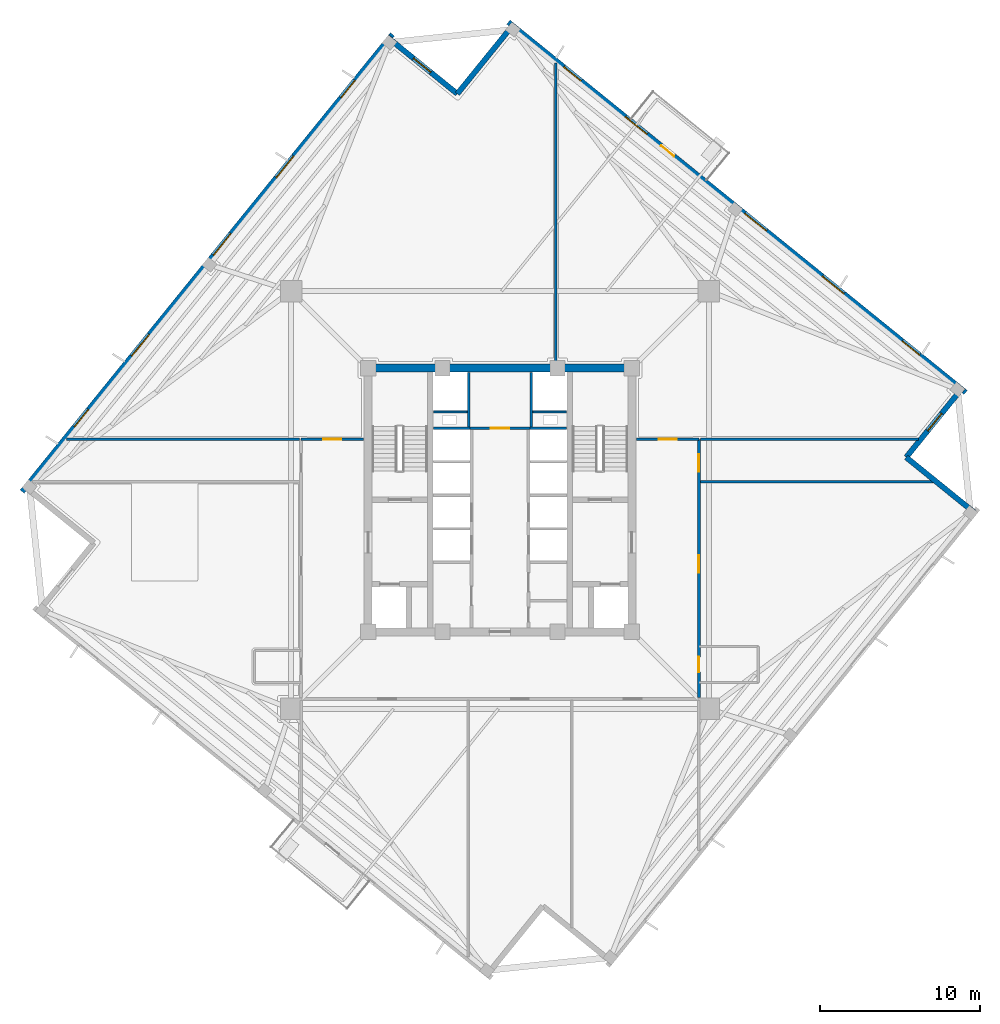
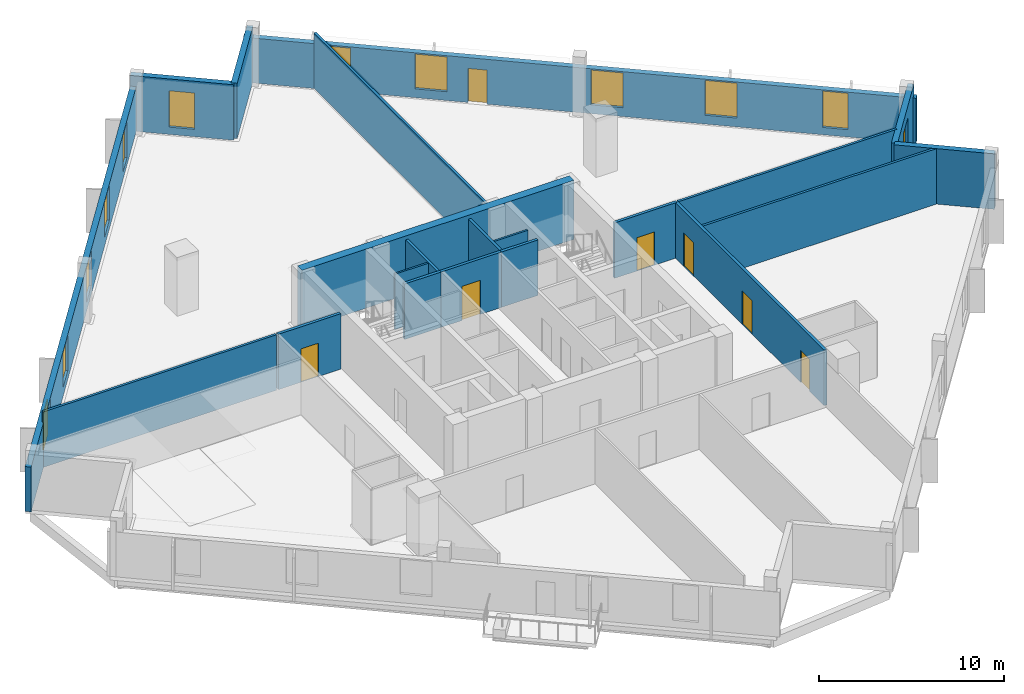
# One storey, part 5 of 10: 21 walls, 12 windows, 7 doors, 19 openings.
"""IFC4 building model written with IfcOpenShell, lengths in metres."""

from ifc_helpers import new_model, si_unit, direction, frame, frame_2d, origin, place, context, subcontext, project, spatial, rectangle, extrude, source, transform, mapped, material, layer, layer_set, type_object, element, fill, save


model = new_model("IFC4")

# Units and contexts
model_context = context("Model", 3, precision=1e-05, world=origin(), true_north=direction((0.0, 1.0)))
body_context = subcontext(model_context, "Body", "Model", "MODEL_VIEW")
ifc_project = project(units=[si_unit("LENGTHUNIT", "METRE"), si_unit("AREAUNIT", "SQUARE_METRE"), si_unit("VOLUMEUNIT", "CUBIC_METRE"), si_unit("PLANEANGLEUNIT", "RADIAN"), si_unit("MASSUNIT", "GRAM", prefix="KILO"), si_unit("THERMODYNAMICTEMPERATUREUNIT", "KELVIN")], contexts=[model_context])

# Site, building, storey
site_placement = place(None, origin())
site = spatial("IfcSite", under=ifc_project, at=site_placement, CompositionType="ELEMENT")
building_placement = place(site_placement, origin())
building = spatial("IfcBuilding", under=site, at=building_placement, Name="Kosmvard Interchange Tower", CompositionType="ELEMENT")
storey_placement = place(building_placement, frame((0.0, 0.0, 229.0)))
storey = spatial("IfcBuildingStorey", under=building, at=storey_placement, Name="L55", CompositionType="ELEMENT", Elevation=229.0)

# Walls
ifc_material_1 = material(Name="Acoustic gypsum partition system")
ifc_layer_1 = layer(ifc_material_1, 0.14990234375, Name="Acoustic gypsum partition system")
ifc_layer_set_1 = layer_set([ifc_layer_1], Name="Acoustic gypsum partition system")
wall_type_1 = type_object("IfcWallType", Name="Acoustic Suite & Meeting Partition 150", PredefinedType="PARTITIONING", material=ifc_layer_set_1)
wall_1_placement = place(storey_placement, frame((3.5, 8.5048828125, 0.0), z_axis=(0.0, 0.0, 1.0), x_axis=(0.0, 1.0, 0.0)))
element("IfcWall", 1, at=wall_1_placement, inside=storey, type_object=wall_type_1, Name="L55 Room Partition 01.1", PredefinedType="PARTITIONING", context=body_context, shape_type="SweptSolid", body=[
    extrude(rectangle(XDim=18.86767578125, YDim=0.14990234375, at=frame_2d((9.433837890625, 0.0))), origin(), (0.0, 0.0, 1.0), 3.659912109375),
])
wall_2_placement = place(storey_placement, frame((-27.12939453125, 3.800048828125, 0.0), z_axis=(0.0, 0.0, 1.0), x_axis=(1.0, 0.0, 0.0)))
element("IfcWall", 2, at=wall_2_placement, inside=storey, type_object=wall_type_1, Name="L55 Room Partition 03.1", PredefinedType="PARTITIONING", context=body_context, shape_type="SweptSolid", body=[
    extrude(rectangle(XDim=14.58447265625, YDim=0.14990234375, at=frame_2d((7.292236328125, 0.0))), origin(), (0.0, 0.0, 1.0), 3.659912109375),
])
wall_3_placement = place(storey_placement, frame((12.544921875, 1.14990234375, 0.0), z_axis=(0.0, 0.0, 1.0), x_axis=(1.0, 0.0, 0.0)))
element("IfcWall", 3, at=wall_3_placement, inside=storey, type_object=wall_type_1, Name="L55 Room Partition 04.1", PredefinedType="PARTITIONING", context=body_context, shape_type="SweptSolid", body=[
    extrude(rectangle(XDim=14.597412109375, YDim=0.14990234375, at=frame_2d((7.298828125, 0.0))), origin(), (0.0, 0.0, 1.0), 3.659912109375),
])
wall_4_placement = place(storey_placement, frame((12.544921875, 3.800048828125, 0.0), z_axis=(0.0, 0.0, 1.0), x_axis=(1.0, 0.0, 0.0)))
element("IfcWall", 4, at=wall_4_placement, inside=storey, type_object=wall_type_1, Name="L55 Room Partition 05.1", PredefinedType="PARTITIONING", context=body_context, shape_type="SweptSolid", body=[
    extrude(rectangle(XDim=13.661865234375, YDim=0.14990234375, at=frame_2d((6.8310546875, 0.0))), origin(), (0.0, 0.0, 1.0), 3.659912109375),
])
ifc_material_2 = material(Name="Fire-rated gypsum partition system")
ifc_layer_2 = layer(ifc_material_2, 0.159912109375, Name="Fire-rated gypsum partition system")
ifc_layer_set_2 = layer_set([ifc_layer_2], Name="Fire-rated gypsum partition system")
wall_type_2 = type_object("IfcWallType", Name="Core Compartment & Shuttle Lobby Partition 160", PredefinedType="PARTITIONING", material=ifc_layer_set_2)
for number, where, z_axis, x_axis, name in (
    (5, (-1.9599609375, 4.580078125, 0.0), (0.0, 0.0, 1.0), (0.0, 1.0, 0.0), "L55 North Core West Wall"),
    (6, (1.9599609375, 4.580078125, 0.0), (0.0, 0.0, 1.0), (0.0, 1.0, 0.0), "L55 North Core East Wall"),
):
    element("IfcWall", number, at=place(storey_placement, frame(where, z_axis=z_axis, x_axis=x_axis)), inside=storey, type_object=wall_type_2, Name=name, PredefinedType="PARTITIONING", context=body_context, shape_type="SweptSolid", body=[
        extrude(rectangle(XDim=3.39990234375, YDim=0.159912109375, at=frame_2d((1.699951171875, 0.0))), origin(), (0.0, 0.0, 1.0), 3.659912109375),
    ])

# Wall, opening, door
ifc_layer_3 = layer(ifc_material_2, 0.179931640625, Name="Fire-rated gypsum partition system")
ifc_layer_set_3 = layer_set([ifc_layer_3], Name="Fire-rated gypsum partition system")
wall_type_3 = type_object("IfcWallType", Name="Corridor & Hotel Compartment Partition 180", PredefinedType="PARTITIONING", material=ifc_layer_set_3)
wall_5_placement = place(storey_placement, frame((-1.8798828125, 4.489990234375, 0.0), z_axis=(0.0, 0.0, 1.0), x_axis=(1.0, 0.0, 0.0)))
wall_5 = element("IfcWall", 7, at=wall_5_placement, inside=storey, type_object=wall_type_3, Name="L55 Lift Lobby North Partition", PredefinedType="PARTITIONING", context=body_context, shape_type="SweptSolid", body=[
    extrude(rectangle(XDim=3.759765625, YDim=0.179931640625, at=frame_2d((1.8798828125, 0.0))), origin(), (0.0, 0.0, 1.0), 3.659912109375),
])
opening_1_placement = place(wall_5_placement, frame((1.304931640625, 0.0, 0.0)))
opening_1 = element("IfcOpeningElement", 8, at=opening_1_placement, cuts=wall_5, Name="Opening L55-KD1", PredefinedType="OPENING", context=body_context, shape_type="SweptSolid", body=[
    extrude(rectangle(XDim=1.14990234375, YDim=2.25, at=frame_2d((0.574951171875, 1.125))), frame((0.0, 0.10009765625, 0.0), z_axis=(0.0, -1.0, 0.0), x_axis=(1.0, 0.0, 0.0)), (0.0, 0.0, 1.0), 0.199951171875),
])
ifc_material_3 = material(Name="Painted fire-rated steel leaf", Category="steel")
door_type_1 = type_object("IfcDoorType", Name="Plant & Riser Fire Door 1150x2250 EI60", OperationType="NOTDEFINED", PredefinedType="DOOR", material=ifc_material_3)
shared_shape_1 = source(origin(), body_context, "Body", "SweptSolid", [
    extrude(rectangle(XDim=1.14990234375, YDim=2.25, at=frame_2d((0.574951171875, 1.125))), frame((0.0, 0.02490234375, 0.0), z_axis=(0.0, -1.0, 0.0), x_axis=(1.0, 0.0, 0.0)), (0.0, 0.0, 1.0), 0.050048828125),
])
door_1_placement = place(opening_1_placement, origin())
door_1 = element("IfcDoor", 9, at=door_1_placement, inside=storey, type_object=door_type_1, Name="L55 Core IT Room Door", OperationType="SINGLE_SWING_LEFT", OverallHeight=2.25, OverallWidth=1.14990234375, PredefinedType="DOOR", context=body_context, shape_type="MappedRepresentation", body=[
    mapped(shared_shape_1, transform((0.0, 0.0, 0.0), scale=1.0)),
])
fill(opening_1, door_1)

# Wall, openings, doors
wall_6_placement = place(storey_placement, frame((12.449951171875, -12.35009765625, 0.0), z_axis=(0.0, 0.0, 1.0), x_axis=(0.0, 1.0, 0.0)))
wall_6 = element("IfcWall", 10, at=wall_6_placement, inside=storey, type_object=wall_type_3, Name="L55 Corridor Wall CE", PredefinedType="PARTITIONING", context=body_context, shape_type="SweptSolid", body=[
    extrude(rectangle(XDim=16.150146484375, YDim=0.179931640625, at=frame_2d((8.0751953125, 0.0))), origin(), (0.0, 0.0, 1.0), 3.659912109375),
])
opening_2_placement = place(wall_6_placement, frame((1.580078125, 0.0, 0.0)))
opening_2 = element("IfcOpeningElement", 11, at=opening_2_placement, cuts=wall_6, Name="Opening L55-D02", PredefinedType="OPENING", context=body_context, shape_type="SweptSolid", body=[
    extrude(rectangle(XDim=0.949951171875, YDim=2.10009765625, at=frame_2d((0.47509765625, 1.050048828125))), frame((0.0, 0.10009765625, 0.0), z_axis=(0.0, -1.0, 0.0), x_axis=(1.0, 0.0, 0.0)), (0.0, 0.0, 1.0), 0.199951171875),
])
opening_3_placement = place(wall_6_placement, frame((14.110595703125, 0.0, 0.0)))
opening_3 = element("IfcOpeningElement", 12, at=opening_3_placement, cuts=wall_6, Name="Opening L55-D06", PredefinedType="OPENING", context=body_context, shape_type="SweptSolid", body=[
    extrude(rectangle(XDim=1.10009765625, YDim=2.199951171875, at=frame_2d((0.550048828125, 1.10009765625))), frame((0.0, 0.10009765625, 0.0), z_axis=(0.0, -1.0, 0.0), x_axis=(1.0, 0.0, 0.0)), (0.0, 0.0, 1.0), 0.199951171875),
])
opening_4_placement = place(wall_6_placement, frame((7.783935546875, 0.0, 0.0)))
opening_4 = element("IfcOpeningElement", 13, at=opening_4_placement, cuts=wall_6, Name="Opening L55-D11", PredefinedType="OPENING", context=body_context, shape_type="SweptSolid", body=[
    extrude(rectangle(XDim=1.10009765625, YDim=2.199951171875, at=frame_2d((0.550048828125, 1.10009765625))), frame((0.0, 0.10009765625, 0.0), z_axis=(0.0, -1.0, 0.0), x_axis=(1.0, 0.0, 0.0)), (0.0, 0.0, 1.0), 0.199951171875),
])
ifc_material_4 = material(Name="Laminated moisture-resistant timber", Category="wood")
door_type_2 = type_object("IfcDoorType", Name="Accessible Washroom Door 950x2100", OperationType="NOTDEFINED", PredefinedType="DOOR", material=ifc_material_4)
shared_shape_2 = source(origin(), body_context, "Body", "SweptSolid", [
    extrude(rectangle(XDim=0.949951171875, YDim=2.10009765625, at=frame_2d((0.47509765625, 1.050048828125))), frame((0.0, 0.02490234375, 0.0), z_axis=(0.0, -1.0, 0.0), x_axis=(1.0, 0.0, 0.0)), (0.0, 0.0, 1.0), 0.050048828125),
])
door_2_placement = place(opening_2_placement, frame((0.949951171875, 0.0, 0.0), z_axis=(0.0, 0.0, 1.0), x_axis=(-1.0, 0.0, 0.0)))
door_2 = element("IfcDoor", 14, at=door_2_placement, inside=storey, type_object=door_type_2, Name="L55 Public Floor Washroom Door", OperationType="SINGLE_SWING_RIGHT", OverallHeight=2.10009765625, OverallWidth=0.949951171875, PredefinedType="DOOR", context=body_context, shape_type="MappedRepresentation", body=[
    mapped(shared_shape_2, transform((0.0, 0.0, 0.0), scale=1.0)),
])
fill(opening_2, door_2)
ifc_material_5 = material(Name="Engineered oak fire-rated timber", Category="wood")
door_type_3 = type_object("IfcDoorType", Name="Office Suite Entrance Door 1100x2200 FD30S", OperationType="NOTDEFINED", PredefinedType="DOOR", material=ifc_material_5)
shared_shape_3 = source(origin(), body_context, "Body", "SweptSolid", [
    extrude(rectangle(XDim=1.10009765625, YDim=2.199951171875, at=frame_2d((0.550048828125, 1.10009765625))), frame((0.0, 0.02490234375, 0.0), z_axis=(0.0, -1.0, 0.0), x_axis=(1.0, 0.0, 0.0)), (0.0, 0.0, 1.0), 0.050048828125),
])
door_3_placement = place(opening_3_placement, frame((1.10009765625, 0.0, 0.0), z_axis=(0.0, 0.0, 1.0), x_axis=(-1.0, 0.0, 0.0)))
door_3 = element("IfcDoor", 15, at=door_3_placement, inside=storey, type_object=door_type_3, Name="L55 East Hearing Chamber 2 Door", OperationType="SINGLE_SWING_RIGHT", OverallHeight=2.199951171875, OverallWidth=1.10009765625, PredefinedType="DOOR", context=body_context, shape_type="MappedRepresentation", body=[
    mapped(shared_shape_3, transform((0.0, 0.0, 0.0), scale=1.0)),
])
fill(opening_3, door_3)
door_4_placement = place(opening_4_placement, frame((1.10009765625, 0.0, 0.0), z_axis=(0.0, 0.0, 1.0), x_axis=(-1.0, 0.0, 0.0)))
door_4 = element("IfcDoor", 16, at=door_4_placement, inside=storey, type_object=door_type_3, Name="L55 South-East Open Chambers Door", OperationType="SINGLE_SWING_LEFT", OverallHeight=2.199951171875, OverallWidth=1.10009765625, PredefinedType="DOOR", context=body_context, shape_type="MappedRepresentation", body=[
    mapped(shared_shape_3, transform((0.0, 0.0, 0.0), scale=1.0)),
])
fill(opening_4, door_4)

# Wall, opening, door
wall_7_placement = place(storey_placement, frame((-12.449951171875, 3.800048828125, 0.0), z_axis=(0.0, 0.0, 1.0), x_axis=(1.0, 0.0, 0.0)))
wall_7 = element("IfcWall", 17, at=wall_7_placement, inside=storey, type_object=wall_type_3, Name="L55 Corridor Wall CNW", PredefinedType="PARTITIONING", context=body_context, shape_type="SweptSolid", body=[
    extrude(rectangle(XDim=3.89990234375, YDim=0.179931640625, at=frame_2d((1.949951171875, 0.0))), origin(), (0.0, 0.0, 1.0), 3.659912109375),
])
opening_5_placement = place(wall_7_placement, frame((1.39990234375, 0.0, 0.0)))
opening_5 = element("IfcOpeningElement", 18, at=opening_5_placement, cuts=wall_7, Name="Opening L55-D04", PredefinedType="OPENING", context=body_context, shape_type="SweptSolid", body=[
    extrude(rectangle(XDim=1.10009765625, YDim=2.199951171875, at=frame_2d((0.550048828125, 1.10009765625))), frame((0.0, 0.10009765625, 0.0), z_axis=(0.0, -1.0, 0.0), x_axis=(1.0, 0.0, 0.0)), (0.0, 0.0, 1.0), 0.199951171875),
])
door_5_placement = place(opening_5_placement, origin())
door_5 = element("IfcDoor", 19, at=door_5_placement, inside=storey, type_object=door_type_3, Name="L55 North-West Sovereign Fund Workplace Door", OperationType="SINGLE_SWING_RIGHT", OverallHeight=2.199951171875, OverallWidth=1.10009765625, PredefinedType="DOOR", context=body_context, shape_type="MappedRepresentation", body=[
    mapped(shared_shape_3, transform((0.0, 0.0, 0.0), scale=1.0)),
])
fill(opening_5, door_5)

wall_8_placement = place(storey_placement, frame((8.550048828125, 3.800048828125, 0.0), z_axis=(0.0, 0.0, 1.0), x_axis=(1.0, 0.0, 0.0)))
wall_8 = element("IfcWall", 20, at=wall_8_placement, inside=storey, type_object=wall_type_3, Name="L55 Corridor Wall CNE", PredefinedType="PARTITIONING", context=body_context, shape_type="SweptSolid", body=[
    extrude(rectangle(XDim=3.89990234375, YDim=0.179931640625, at=frame_2d((1.949951171875, 0.0))), origin(), (0.0, 0.0, 1.0), 3.659912109375),
])
opening_6_placement = place(wall_8_placement, frame((1.39990234375, 0.0, 0.0)))
opening_6 = element("IfcOpeningElement", 21, at=opening_6_placement, cuts=wall_8, Name="Opening L55-D05", PredefinedType="OPENING", context=body_context, shape_type="SweptSolid", body=[
    extrude(rectangle(XDim=1.10009765625, YDim=2.199951171875, at=frame_2d((0.550048828125, 1.10009765625))), frame((0.0, 0.10009765625, 0.0), z_axis=(0.0, -1.0, 0.0), x_axis=(1.0, 0.0, 0.0)), (0.0, 0.0, 1.0), 0.199951171875),
])
door_6_placement = place(opening_6_placement, origin())
door_6 = element("IfcDoor", 22, at=door_6_placement, inside=storey, type_object=door_type_3, Name="L55 International Arbitration Hall Door", OperationType="SINGLE_SWING_LEFT", OverallHeight=2.199951171875, OverallWidth=1.10009765625, PredefinedType="DOOR", context=body_context, shape_type="MappedRepresentation", body=[
    mapped(shared_shape_3, transform((0.0, 0.0, 0.0), scale=1.0)),
])
fill(opening_6, door_6)

# Wall
ifc_material_6 = material(Name="Precast concrete C45/55", Category="concrete")
ifc_layer_4 = layer(ifc_material_6, 0.340087890625, Name="Precast concrete C45/55")
ifc_layer_set_4 = layer_set([ifc_layer_4], Name="Precast concrete C45/55")
wall_type_4 = type_object("IfcWallType", Name="Mid Tower Precast Pier Wall 340 C45/55", PredefinedType="STANDARD", material=ifc_layer_set_4)
wall_9_placement = place(storey_placement, frame((29.703125, -0.78857421875, 0.0), z_axis=(0.0, 0.0, 1.0), x_axis=(-0.77714355312, 0.629323365087, 0.0)))
element("IfcWall", 23, at=wall_9_placement, inside=storey, type_object=wall_type_4, Name="L55 Precast Facade Wall N-SE1", PredefinedType="STANDARD", context=body_context, shape_type="SweptSolid", body=[
    extrude(rectangle(XDim=5.499755859375, YDim=0.340087890625, at=frame_2d((2.75, 0.0))), origin(), (0.0, 0.0, 1.0), 3.659912109375),
])

# Wall, opening, window
wall_10_placement = place(storey_placement, frame((25.428955078125, 2.672607421875, 0.0), z_axis=(0.0, 0.0, 1.0), x_axis=(0.629299794138, 0.777162640055, 0.0)))
wall_10 = element("IfcWall", 24, at=wall_10_placement, inside=storey, type_object=wall_type_4, Name="L55 Precast Facade Wall N-SE2", PredefinedType="STANDARD", context=body_context, shape_type="SweptSolid", body=[
    extrude(rectangle(XDim=5.669921875, YDim=0.340087890625, at=frame_2d((2.8349609375, 0.0))), origin(), (0.0, 0.0, 1.0), 3.659912109375),
])
opening_7_placement = place(wall_10_placement, frame((2.135009765625, 0.0, 0.47998046875)))
opening_7 = element("IfcOpeningElement", 25, at=opening_7_placement, cuts=wall_10, Name="Opening L55-W21", PredefinedType="OPENING", context=body_context, shape_type="SweptSolid", body=[
    extrude(rectangle(XDim=1.39990234375, YDim=2.39990234375, at=frame_2d((0.699951171875, 1.199951171875))), frame((0.0, 0.18017578125, 0.0), z_axis=(0.0, -1.0, 0.0), x_axis=(1.0, 0.0, 0.0)), (0.0, 0.0, 1.0), 0.360107421875),
])
ifc_material_7 = material(Name="Low-E solar-control double glazing", Category="glass")
window_type_1 = type_object("IfcWindowType", Name="Notched Corner Feature Window 1400x2400", PartitioningType="SINGLE_PANEL", PredefinedType="WINDOW", material=ifc_material_7)
shared_shape_4 = source(origin(), body_context, "Body", "SweptSolid", [
    extrude(rectangle(XDim=1.39990234375, YDim=2.39990234375, at=frame_2d((0.699951171875, 1.199951171875))), frame((0.0, 0.030029296875, 0.0), z_axis=(0.0, -1.0, 0.0), x_axis=(1.0, 0.0, 0.0)), (0.0, 0.0, 1.0), 0.06005859375),
])
window_1_placement = place(opening_7_placement, origin())
window_1 = element("IfcWindow", 26, at=window_1_placement, inside=storey, type_object=window_type_1, Name="L55 Corner Notch Window 21", OverallHeight=2.39990234375, OverallWidth=1.39990234375, PartitioningType="SINGLE_PANEL", PredefinedType="WINDOW", context=body_context, shape_type="MappedRepresentation", body=[
    mapped(shared_shape_4, transform((0.0, 0.0, 0.0), scale=1.0)),
])
fill(opening_7, window_1)

# Wall, openings, door, windows
wall_11_placement = place(storey_placement, frame((29.154296875, 6.73291015625, 0.0), z_axis=(0.0, 0.0, 1.0), x_axis=(-0.77714192302, 0.629325378072, 0.0)))
wall_11 = element("IfcWall", 27, at=wall_11_placement, inside=storey, type_object=wall_type_4, Name="L55 Precast Facade Wall F-E", PredefinedType="STANDARD", context=body_context, shape_type="SweptSolid", body=[
    extrude(rectangle(XDim=36.840087890625, YDim=0.340087890625, at=frame_2d((18.419921875, 0.0))), origin(), (0.0, 0.0, 1.0), 2.9599609375),
])
opening_8_placement = place(wall_11_placement, frame((23.4951171875, 0.0, 0.0)))
opening_8 = element("IfcOpeningElement", 28, at=opening_8_placement, cuts=wall_11, Name="Opening L55-BDE", PredefinedType="OPENING", context=body_context, shape_type="SweptSolid", body=[
    extrude(rectangle(XDim=1.050048828125, YDim=2.25, at=frame_2d((0.52490234375, 1.125))), frame((0.0, 0.18017578125, 0.0), z_axis=(0.0, -1.0, 0.0), x_axis=(1.0, 0.0, 0.0)), (0.0, 0.0, 1.0), 0.360107421875),
])
opening_9_placement = place(wall_11_placement, frame((3.720703125, 0.0, 0.47998046875)))
opening_9 = element("IfcOpeningElement", 29, at=opening_9_placement, cuts=wall_11, Name="Opening L55-W06", PredefinedType="OPENING", context=body_context, shape_type="SweptSolid", body=[
    extrude(rectangle(XDim=1.39990234375, YDim=2.39990234375, at=frame_2d((0.699951171875, 1.199951171875))), frame((0.0, 0.18017578125, 0.0), z_axis=(0.0, -1.0, 0.0), x_axis=(1.0, 0.0, 0.0)), (0.0, 0.0, 1.0), 0.360107421875),
])
opening_10_placement = place(wall_11_placement, frame((9.80859375, 0.0, 0.580078125)))
opening_10 = element("IfcOpeningElement", 30, at=opening_10_placement, cuts=wall_11, Name="Opening L55-W07", PredefinedType="OPENING", context=body_context, shape_type="SweptSolid", body=[
    extrude(rectangle(XDim=1.75, YDim=2.300048828125, at=frame_2d((0.875, 1.14990234375))), frame((0.0, 0.18017578125, 0.0), z_axis=(0.0, -1.0, 0.0), x_axis=(1.0, 0.0, 0.0)), (0.0, 0.0, 1.0), 0.360107421875),
])
opening_11_placement = place(wall_11_placement, frame((16.05810546875, 0.0, 0.580078125)))
opening_11 = element("IfcOpeningElement", 31, at=opening_11_placement, cuts=wall_11, Name="Opening L55-W08", PredefinedType="OPENING", context=body_context, shape_type="SweptSolid", body=[
    extrude(rectangle(XDim=1.75, YDim=2.300048828125, at=frame_2d((0.875, 1.14990234375))), frame((0.0, 0.18017578125, 0.0), z_axis=(0.0, -1.0, 0.0), x_axis=(1.0, 0.0, 0.0)), (0.0, 0.0, 1.0), 0.360107421875),
])
opening_12_placement = place(wall_11_placement, frame((25.67626953125, 0.0, 0.580078125)))
opening_12 = element("IfcOpeningElement", 32, at=opening_12_placement, cuts=wall_11, Name="Opening L55-W09", PredefinedType="OPENING", context=body_context, shape_type="SweptSolid", body=[
    extrude(rectangle(XDim=1.75, YDim=2.300048828125, at=frame_2d((0.875, 1.14990234375))), frame((0.0, 0.18017578125, 0.0), z_axis=(0.0, -1.0, 0.0), x_axis=(1.0, 0.0, 0.0)), (0.0, 0.0, 1.0), 0.360107421875),
])
opening_13_placement = place(wall_11_placement, frame((30.982421875, 0.0, 0.47998046875)))
opening_13 = element("IfcOpeningElement", 33, at=opening_13_placement, cuts=wall_11, Name="Opening L55-W10", PredefinedType="OPENING", context=body_context, shape_type="SweptSolid", body=[
    extrude(rectangle(XDim=1.39990234375, YDim=2.39990234375, at=frame_2d((0.699951171875, 1.199951171875))), frame((0.0, 0.18017578125, 0.0), z_axis=(0.0, -1.0, 0.0), x_axis=(1.0, 0.0, 0.0)), (0.0, 0.0, 1.0), 0.360107421875),
])
ifc_material_8 = material(Name="Anodised aluminium and safety glass", Category="aluminium")
door_type_4 = type_object("IfcDoorType", Name="Tree-Balcony Glazed Door 1050x2250", OperationType="NOTDEFINED", PredefinedType="DOOR", material=ifc_material_8)
shared_shape_5 = source(origin(), body_context, "Body", "SweptSolid", [
    extrude(rectangle(XDim=1.050048828125, YDim=2.25, at=frame_2d((0.52490234375, 1.125))), frame((0.0, 0.02490234375, 0.0), z_axis=(0.0, -1.0, 0.0), x_axis=(1.0, 0.0, 0.0)), (0.0, 0.0, 1.0), 0.050048828125),
])
door_7_placement = place(opening_8_placement, origin())
door_7 = element("IfcDoor", 34, at=door_7_placement, inside=storey, type_object=door_type_4, Name="L55 Tree-Balcony Door BAL-L55-E", OperationType="SINGLE_SWING_RIGHT", OverallHeight=2.25, OverallWidth=1.050048828125, PredefinedType="DOOR", context=body_context, shape_type="MappedRepresentation", body=[
    mapped(shared_shape_5, transform((0.0, 0.0, 0.0), scale=1.0)),
])
fill(opening_8, door_7)
window_2_placement = place(opening_9_placement, origin())
window_2 = element("IfcWindow", 35, at=window_2_placement, inside=storey, type_object=window_type_1, Name="L55 Facade Punched Window 06", OverallHeight=2.39990234375, OverallWidth=1.39990234375, PartitioningType="SINGLE_PANEL", PredefinedType="WINDOW", context=body_context, shape_type="MappedRepresentation", body=[
    mapped(shared_shape_4, transform((0.0, 0.0, 0.0), scale=1.0)),
])
fill(opening_9, window_2)
window_3_placement = place(opening_13_placement, origin())
window_3 = element("IfcWindow", 36, at=window_3_placement, inside=storey, type_object=window_type_1, Name="L55 Facade Punched Window 10", OverallHeight=2.39990234375, OverallWidth=1.39990234375, PartitioningType="SINGLE_PANEL", PredefinedType="WINDOW", context=body_context, shape_type="MappedRepresentation", body=[
    mapped(shared_shape_4, transform((0.0, 0.0, 0.0), scale=1.0)),
])
fill(opening_13, window_3)
window_type_2 = type_object("IfcWindowType", Name="Zone 4 Suite Punched Window 1750x2300", PartitioningType="SINGLE_PANEL", PredefinedType="WINDOW", material=ifc_material_7)
shared_shape_6 = source(origin(), body_context, "Body", "SweptSolid", [
    extrude(rectangle(XDim=1.75, YDim=2.300048828125, at=frame_2d((0.875, 1.14990234375))), frame((0.0, 0.030029296875, 0.0), z_axis=(0.0, -1.0, 0.0), x_axis=(1.0, 0.0, 0.0)), (0.0, 0.0, 1.0), 0.06005859375),
])
window_4_placement = place(opening_10_placement, origin())
window_4 = element("IfcWindow", 37, at=window_4_placement, inside=storey, type_object=window_type_2, Name="L55 Facade Punched Window 07", OverallHeight=2.300048828125, OverallWidth=1.75, PartitioningType="SINGLE_PANEL", PredefinedType="WINDOW", context=body_context, shape_type="MappedRepresentation", body=[
    mapped(shared_shape_6, transform((0.0, 0.0, 0.0), scale=1.0)),
])
fill(opening_10, window_4)
window_5_placement = place(opening_11_placement, origin())
window_5 = element("IfcWindow", 38, at=window_5_placement, inside=storey, type_object=window_type_2, Name="L55 Facade Punched Window 08", OverallHeight=2.300048828125, OverallWidth=1.75, PartitioningType="SINGLE_PANEL", PredefinedType="WINDOW", context=body_context, shape_type="MappedRepresentation", body=[
    mapped(shared_shape_6, transform((0.0, 0.0, 0.0), scale=1.0)),
])
fill(opening_11, window_5)
window_6_placement = place(opening_12_placement, origin())
window_6 = element("IfcWindow", 39, at=window_6_placement, inside=storey, type_object=window_type_2, Name="L55 Facade Punched Window 09", OverallHeight=2.300048828125, OverallWidth=1.75, PartitioningType="SINGLE_PANEL", PredefinedType="WINDOW", context=body_context, shape_type="MappedRepresentation", body=[
    mapped(shared_shape_6, transform((0.0, 0.0, 0.0), scale=1.0)),
])
fill(opening_12, window_6)

# Wall
wall_12_placement = place(storey_placement, frame((0.78857421875, 29.703125, 0.0), z_axis=(0.0, 0.0, 1.0), x_axis=(-0.629323365087, -0.77714355312, 0.0)))
element("IfcWall", 40, at=wall_12_placement, inside=storey, type_object=wall_type_4, Name="L55 Precast Facade Wall N-NE1", PredefinedType="STANDARD", context=body_context, shape_type="SweptSolid", body=[
    extrude(rectangle(XDim=5.499755859375, YDim=0.340087890625, at=frame_2d((2.75, 0.0))), origin(), (0.0, 0.0, 1.0), 3.659912109375),
])

# Wall, opening, window
wall_13_placement = place(storey_placement, frame((-2.672607421875, 25.428955078125, 0.0), z_axis=(0.0, 0.0, 1.0), x_axis=(-0.777162640055, 0.629299794138, 0.0)))
wall_13 = element("IfcWall", 41, at=wall_13_placement, inside=storey, type_object=wall_type_4, Name="L55 Precast Facade Wall N-NE2", PredefinedType="STANDARD", context=body_context, shape_type="SweptSolid", body=[
    extrude(rectangle(XDim=5.669921875, YDim=0.340087890625, at=frame_2d((2.8349609375, 0.0))), origin(), (0.0, 0.0, 1.0), 3.659912109375),
])
opening_14_placement = place(wall_13_placement, frame((2.135009765625, 0.0, 0.47998046875)))
opening_14 = element("IfcOpeningElement", 42, at=opening_14_placement, cuts=wall_13, Name="Opening L55-W22", PredefinedType="OPENING", context=body_context, shape_type="SweptSolid", body=[
    extrude(rectangle(XDim=1.39990234375, YDim=2.39990234375, at=frame_2d((0.699951171875, 1.199951171875))), frame((0.0, 0.18017578125, 0.0), z_axis=(0.0, -1.0, 0.0), x_axis=(1.0, 0.0, 0.0)), (0.0, 0.0, 1.0), 0.360107421875),
])
window_7_placement = place(opening_14_placement, origin())
window_7 = element("IfcWindow", 43, at=window_7_placement, inside=storey, type_object=window_type_1, Name="L55 Corner Notch Window 22", OverallHeight=2.39990234375, OverallWidth=1.39990234375, PartitioningType="SINGLE_PANEL", PredefinedType="WINDOW", context=body_context, shape_type="MappedRepresentation", body=[
    mapped(shared_shape_4, transform((0.0, 0.0, 0.0), scale=1.0)),
])
fill(opening_14, window_7)

# Wall, openings, windows
wall_14_placement = place(storey_placement, frame((-6.73291015625, 29.154296875, 0.0), z_axis=(0.0, 0.0, 1.0), x_axis=(-0.629325378072, -0.77714192302, 0.0)))
wall_14 = element("IfcWall", 44, at=wall_14_placement, inside=storey, type_object=wall_type_4, Name="L55 Precast Facade Wall F-N", PredefinedType="STANDARD", context=body_context, shape_type="SweptSolid", body=[
    extrude(rectangle(XDim=36.840087890625, YDim=0.340087890625, at=frame_2d((18.419921875, 0.0))), origin(), (0.0, 0.0, 1.0), 2.9599609375),
])
opening_15_placement = place(wall_14_placement, frame((3.720703125, 0.0, 0.47998046875)))
opening_15 = element("IfcOpeningElement", 45, at=opening_15_placement, cuts=wall_14, Name="Opening L55-W11", PredefinedType="OPENING", context=body_context, shape_type="SweptSolid", body=[
    extrude(rectangle(XDim=1.39990234375, YDim=2.39990234375, at=frame_2d((0.699951171875, 1.199951171875))), frame((0.0, 0.18017578125, 0.0), z_axis=(0.0, -1.0, 0.0), x_axis=(1.0, 0.0, 0.0)), (0.0, 0.0, 1.0), 0.360107421875),
])
opening_16_placement = place(wall_14_placement, frame((9.80859375, 0.0, 0.580078125)))
opening_16 = element("IfcOpeningElement", 46, at=opening_16_placement, cuts=wall_14, Name="Opening L55-W12", PredefinedType="OPENING", context=body_context, shape_type="SweptSolid", body=[
    extrude(rectangle(XDim=1.75, YDim=2.300048828125, at=frame_2d((0.875, 1.14990234375))), frame((0.0, 0.18017578125, 0.0), z_axis=(0.0, -1.0, 0.0), x_axis=(1.0, 0.0, 0.0)), (0.0, 0.0, 1.0), 0.360107421875),
])
opening_17_placement = place(wall_14_placement, frame((16.05810546875, 0.0, 0.580078125)))
opening_17 = element("IfcOpeningElement", 47, at=opening_17_placement, cuts=wall_14, Name="Opening L55-W13", PredefinedType="OPENING", context=body_context, shape_type="SweptSolid", body=[
    extrude(rectangle(XDim=1.75, YDim=2.300048828125, at=frame_2d((0.875, 1.14990234375))), frame((0.0, 0.18017578125, 0.0), z_axis=(0.0, -1.0, 0.0), x_axis=(1.0, 0.0, 0.0)), (0.0, 0.0, 1.0), 0.360107421875),
])
opening_18_placement = place(wall_14_placement, frame((24.17626953125, 0.0, 0.580078125)))
opening_18 = element("IfcOpeningElement", 48, at=opening_18_placement, cuts=wall_14, Name="Opening L55-W14", PredefinedType="OPENING", context=body_context, shape_type="SweptSolid", body=[
    extrude(rectangle(XDim=1.75, YDim=2.300048828125, at=frame_2d((0.875, 1.14990234375))), frame((0.0, 0.18017578125, 0.0), z_axis=(0.0, -1.0, 0.0), x_axis=(1.0, 0.0, 0.0)), (0.0, 0.0, 1.0), 0.360107421875),
])
opening_19_placement = place(wall_14_placement, frame((30.232421875, 0.0, 0.47998046875)))
opening_19 = element("IfcOpeningElement", 49, at=opening_19_placement, cuts=wall_14, Name="Opening L55-W15", PredefinedType="OPENING", context=body_context, shape_type="SweptSolid", body=[
    extrude(rectangle(XDim=1.39990234375, YDim=2.39990234375, at=frame_2d((0.699951171875, 1.199951171875))), frame((0.0, 0.18017578125, 0.0), z_axis=(0.0, -1.0, 0.0), x_axis=(1.0, 0.0, 0.0)), (0.0, 0.0, 1.0), 0.360107421875),
])
window_8_placement = place(opening_15_placement, origin())
window_8 = element("IfcWindow", 50, at=window_8_placement, inside=storey, type_object=window_type_1, Name="L55 Facade Punched Window 11", OverallHeight=2.39990234375, OverallWidth=1.39990234375, PartitioningType="SINGLE_PANEL", PredefinedType="WINDOW", context=body_context, shape_type="MappedRepresentation", body=[
    mapped(shared_shape_4, transform((0.0, 0.0, 0.0), scale=1.0)),
])
fill(opening_15, window_8)
window_9_placement = place(opening_19_placement, origin())
window_9 = element("IfcWindow", 51, at=window_9_placement, inside=storey, type_object=window_type_1, Name="L55 Facade Punched Window 15", OverallHeight=2.39990234375, OverallWidth=1.39990234375, PartitioningType="SINGLE_PANEL", PredefinedType="WINDOW", context=body_context, shape_type="MappedRepresentation", body=[
    mapped(shared_shape_4, transform((0.0, 0.0, 0.0), scale=1.0)),
])
fill(opening_19, window_9)
window_10_placement = place(opening_16_placement, origin())
window_10 = element("IfcWindow", 52, at=window_10_placement, inside=storey, type_object=window_type_2, Name="L55 Facade Punched Window 12", OverallHeight=2.300048828125, OverallWidth=1.75, PartitioningType="SINGLE_PANEL", PredefinedType="WINDOW", context=body_context, shape_type="MappedRepresentation", body=[
    mapped(shared_shape_6, transform((0.0, 0.0, 0.0), scale=1.0)),
])
fill(opening_16, window_10)
window_11_placement = place(opening_17_placement, origin())
window_11 = element("IfcWindow", 53, at=window_11_placement, inside=storey, type_object=window_type_2, Name="L55 Facade Punched Window 13", OverallHeight=2.300048828125, OverallWidth=1.75, PartitioningType="SINGLE_PANEL", PredefinedType="WINDOW", context=body_context, shape_type="MappedRepresentation", body=[
    mapped(shared_shape_6, transform((0.0, 0.0, 0.0), scale=1.0)),
])
fill(opening_17, window_11)
window_12_placement = place(opening_18_placement, origin())
window_12 = element("IfcWindow", 54, at=window_12_placement, inside=storey, type_object=window_type_2, Name="L55 Facade Punched Window 14", OverallHeight=2.300048828125, OverallWidth=1.75, PartitioningType="SINGLE_PANEL", PredefinedType="WINDOW", context=body_context, shape_type="MappedRepresentation", body=[
    mapped(shared_shape_6, transform((0.0, 0.0, 0.0), scale=1.0)),
])
fill(opening_18, window_12)

# Walls
ifc_material_9 = material(Name="Concrete blockwork masonry", Category="masonry")
ifc_layer_5 = layer(ifc_material_9, 0.179931640625, Name="Concrete blockwork masonry")
ifc_layer_set_5 = layer_set([ifc_layer_5], Name="Concrete blockwork masonry")
wall_type_5 = type_object("IfcWallType", Name="Riser & Lift Bank Divider Wall 180", PredefinedType="PARTITIONING", material=ifc_layer_set_5)
for number, where, z_axis, x_axis, name in (
    (55, (-4.169921875, 4.489990234375, 0.0), (0.0, 0.0, 1.0), (1.0, 0.0, 0.0), "L55 West Bank Divider BD3"),
    (56, (1.889892578125, 4.489990234375, 0.0), (0.0, 0.0, 1.0), (1.0, 0.0, 0.0), "L55 East Bank Divider BD3"),
):
    element("IfcWall", number, at=place(storey_placement, frame(where, z_axis=z_axis, x_axis=x_axis)), inside=storey, type_object=wall_type_5, Name=name, PredefinedType="PARTITIONING", context=body_context, shape_type="SweptSolid", body=[
        extrude(rectangle(XDim=2.280029296875, YDim=0.179931640625, at=frame_2d((1.14013671875, 0.0))), origin(), (0.0, 0.0, 1.0), 3.659912109375),
    ])
ifc_material_10 = material(Name="Fire-rated gypsum shaftwall system")
ifc_layer_6 = layer(ifc_material_10, 0.1201171875, Name="Fire-rated gypsum shaftwall system")
ifc_layer_set_6 = layer_set([ifc_layer_6], Name="Fire-rated gypsum shaftwall system")
wall_type_6 = type_object("IfcWallType", Name="Shaft & Riser Fire Partition 120 EI60", PredefinedType="PARTITIONING", material=ifc_layer_set_6)
for number, where, z_axis, x_axis, name in (
    (57, (-4.159912109375, 5.52001953125, 0.0), (0.0, 0.0, 1.0), (1.0, 0.0, 0.0), "L55 Riser Shaft Divider W"),
    (58, (2.06005859375, 5.52001953125, 0.0), (0.0, 0.0, 1.0), (1.0, 0.0, 0.0), "L55 Riser Shaft Divider E"),
):
    element("IfcWall", number, at=place(storey_placement, frame(where, z_axis=z_axis, x_axis=x_axis)), inside=storey, type_object=wall_type_6, Name=name, PredefinedType="PARTITIONING", context=body_context, shape_type="SweptSolid", body=[
        extrude(rectangle(XDim=2.099853515625, YDim=0.1201171875, at=frame_2d((1.0498046875, 0.0))), origin(), (0.0, 0.0, 1.0), 3.659912109375),
    ])
ifc_material_11 = material(Name="Concrete C60/75", Category="concrete")
ifc_layer_7 = layer(ifc_material_11, 0.5, Name="Concrete C60/75")
ifc_layer_set_7 = layer_set([ifc_layer_7], Name="Concrete C60/75")
wall_type_7 = type_object("IfcWallType", Name="Upper Core Shear Wall 500 C60/75", PredefinedType="SHEAR", material=ifc_layer_set_7)
wall_15_placement = place(storey_placement, frame((-8.5, 8.25, 0.0), z_axis=(0.0, 0.0, 1.0), x_axis=(1.0, 0.0, 0.0)))
element("IfcWall", 59, at=wall_15_placement, inside=storey, type_object=wall_type_7, Name="L55 Core Shear Wall CW-N", PredefinedType="SHEAR", context=body_context, shape_type="SweptSolid", body=[
    extrude(rectangle(XDim=17.0, YDim=0.5, at=frame_2d((8.5, 0.0))), origin(), (0.0, 0.0, 1.0), 3.89990234375),
])

save(model, "model.ifc")
